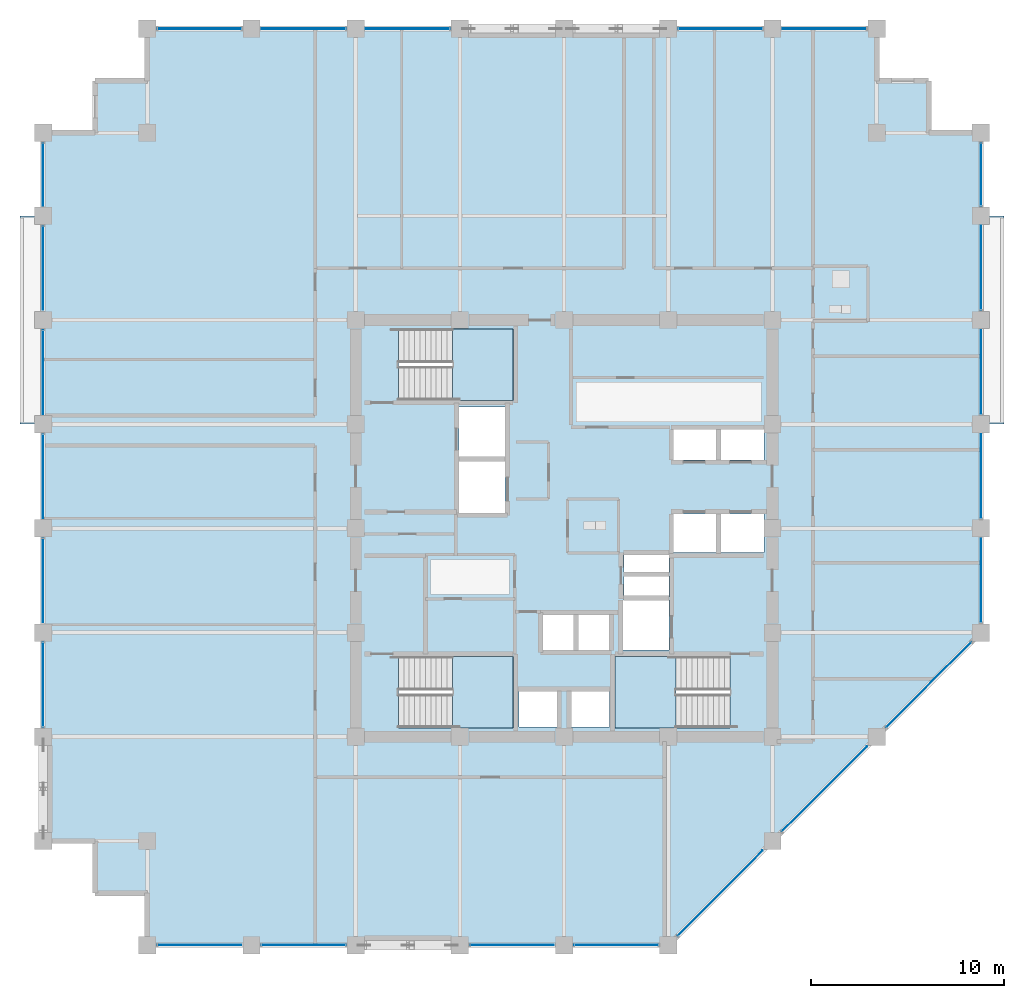
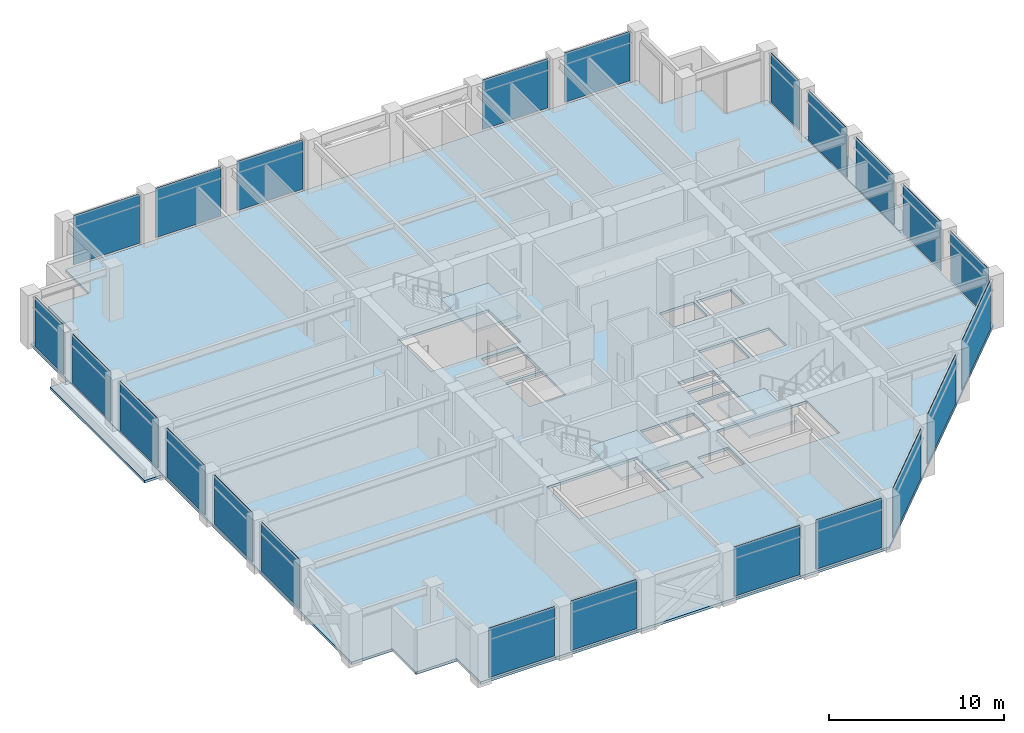
# One storey, part 25 of 31: 23 plates, 6 slabs, 10 elements without a shape of their own.
"""IFC4 building model written with IfcOpenShell, lengths in metres."""

from ifc_helpers import new_model, si_unit, direction, frame, frame_2d, origin, place, context, subcontext, project, spatial, polyline, rectangle, outline, extrude, material, layer, layer_set, type_object, element, aggregate, save


model = new_model("IFC4")

# Units and contexts
model_context = context("Model", 3, precision=1e-05, world=origin(), true_north=direction((0.0, 1.0)))
body_context = subcontext(model_context, "Body", "Model", "MODEL_VIEW")
ifc_project = project(units=[si_unit("LENGTHUNIT", "METRE"), si_unit("AREAUNIT", "SQUARE_METRE"), si_unit("VOLUMEUNIT", "CUBIC_METRE"), si_unit("PLANEANGLEUNIT", "RADIAN"), si_unit("MASSUNIT", "GRAM", prefix="KILO")], contexts=[model_context])

# Site, building, storey
site_placement = place(None, origin())
site = spatial("IfcSite", under=ifc_project, at=site_placement, CompositionType="ELEMENT")
building_placement = place(site_placement, origin())
building = spatial("IfcBuilding", under=site, at=building_placement, Name="Surkhivell Harbour Commons", CompositionType="ELEMENT")
storey_placement = place(building_placement, frame((0.0, 0.0, 193.5)))
storey = spatial("IfcBuildingStorey", under=building, at=storey_placement, Name="L50", CompositionType="ELEMENT", Elevation=193.5)

# Curtain wall, plates
ifc_material_1 = material(Name="Anodised pale-metal aluminium and insulated glazing", Category="aluminium")
ifc_layer_1 = layer(ifc_material_1, 0.18994140625)
ifc_layer_set_1 = layer_set([ifc_layer_1], Name="Anodised pale-metal aluminium and insulated glazing")
curtain_wall_type = type_object("IfcCurtainWallType", Name="CW-SYS-Z3", PredefinedType="NOTDEFINED", material=ifc_layer_set_1)
curtain_wall_1_placement = place(storey_placement, origin())
curtain_wall_1 = element("IfcCurtainWall", 1, at=curtain_wall_1_placement, inside=storey, type_object=curtain_wall_type, Name="L50 Curtain Wall CW-L50-E00S1", PredefinedType="NOTDEFINED")
ifc_material_2 = material(Name="High-pressure typhoon laminated vision glass", Category="glass")
ifc_layer_2 = layer(ifc_material_2, 0.035888671875)
ifc_layer_set_2 = layer_set([ifc_layer_2], Name="High-pressure typhoon laminated vision glass")
plate_type = type_object("IfcPlateType", Name="CWP-GLZ-36", PredefinedType="CURTAIN_PANEL", material=ifc_layer_set_2)
plate_1_placement = place(storey_placement, frame((-21.072998046875, -21.60009765625, 0.1298828125), z_axis=(0.0, 0.0, 1.0), x_axis=(1.0, 0.0, 0.0)))
plate_1 = element("IfcPlate", 2, at=plate_1_placement, type_object=plate_type, Name="CW-Z3 panel 1.1", PredefinedType="CURTAIN_PANEL", context=body_context, shape_type="SweptSolid", body=[
    extrude(rectangle(XDim=4.345947265625, YDim=0.035888671875, at=frame_2d((2.1728515625, 0.0))), origin(), (0.0, 0.0, 1.0), 3.440185546875),
])
plate_2_placement = place(storey_placement, frame((-15.673095703125, -21.60009765625, 0.1298828125), z_axis=(0.0, 0.0, 1.0), x_axis=(1.0, 0.0, 0.0)))
plate_2 = element("IfcPlate", 3, at=plate_2_placement, type_object=plate_type, Name="CW-Z3 panel 2.1", PredefinedType="CURTAIN_PANEL", context=body_context, shape_type="SweptSolid", body=[
    extrude(rectangle(XDim=4.34619140625, YDim=0.035888671875, at=frame_2d((2.173095703125, 0.0))), origin(), (0.0, 0.0, 1.0), 3.440185546875),
])
aggregate(curtain_wall_1, [plate_1, plate_2])

curtain_wall_2_placement = place(storey_placement, origin())
curtain_wall_2 = element("IfcCurtainWall", 4, at=curtain_wall_2_placement, inside=storey, type_object=curtain_wall_type, Name="L50 Curtain Wall CW-L50-E00S2", PredefinedType="NOTDEFINED")
plate_3_placement = place(storey_placement, frame((-4.873046875, -21.60009765625, 0.1298828125), z_axis=(0.0, 0.0, 1.0), x_axis=(1.0, 0.0, 0.0)))
plate_3 = element("IfcPlate", 5, at=plate_3_placement, type_object=plate_type, Name="CW-Z3 panel 1.1", PredefinedType="CURTAIN_PANEL", context=body_context, shape_type="SweptSolid", body=[
    extrude(rectangle(XDim=4.345947265625, YDim=0.035888671875, at=frame_2d((2.1728515625, 0.0))), origin(), (0.0, 0.0, 1.0), 3.440185546875),
])
plate_4_placement = place(storey_placement, frame((0.527099609375, -21.60009765625, 0.1298828125), z_axis=(0.0, 0.0, 1.0), x_axis=(1.0, 0.0, 0.0)))
plate_4 = element("IfcPlate", 6, at=plate_4_placement, type_object=plate_type, Name="CW-Z3 panel 2.1", PredefinedType="CURTAIN_PANEL", context=body_context, shape_type="SweptSolid", body=[
    extrude(rectangle(XDim=4.345947265625, YDim=0.035888671875, at=frame_2d((2.1728515625, 0.0))), origin(), (0.0, 0.0, 1.0), 3.440185546875),
])
aggregate(curtain_wall_2, [plate_3, plate_4])

curtain_wall_3_placement = place(storey_placement, origin())
curtain_wall_3 = element("IfcCurtainWall", 7, at=curtain_wall_3_placement, inside=storey, type_object=curtain_wall_type, Name="L50 Curtain Wall CW-L50-E01", PredefinedType="NOTDEFINED")
plate_5_placement = place(storey_placement, frame((5.90478515625, -21.09521484375, 0.1298828125), z_axis=(0.0, 0.0, 1.0), x_axis=(0.707106781187, 0.707106781187, 0.0)))
plate_5 = element("IfcPlate", 8, at=plate_5_placement, type_object=plate_type, Name="CW-Z3 panel 1.1", PredefinedType="CURTAIN_PANEL", context=body_context, shape_type="SweptSolid", body=[
    extrude(rectangle(XDim=6.209228515625, YDim=0.035888671875, at=frame_2d((3.1044921875, 0.0))), origin(), (0.0, 0.0, 1.0), 3.440185546875),
])
plate_6_placement = place(storey_placement, frame((11.3046875, -15.6953125, 0.1298828125), z_axis=(0.0, 0.0, 1.0), x_axis=(0.707106781187, 0.707106781187, 0.0)))
plate_6 = element("IfcPlate", 9, at=plate_6_placement, type_object=plate_type, Name="CW-Z3 panel 2.1", PredefinedType="CURTAIN_PANEL", context=body_context, shape_type="SweptSolid", body=[
    extrude(rectangle(XDim=6.209228515625, YDim=0.035888671875, at=frame_2d((3.1044921875, 0.0))), origin(), (0.0, 0.0, 1.0), 3.440185546875),
])
plate_7_placement = place(storey_placement, frame((16.70458984375, -10.29541015625, 0.1298828125), z_axis=(0.0, 0.0, 1.0), x_axis=(0.707106781187, 0.707106781187, 0.0)))
plate_7 = element("IfcPlate", 10, at=plate_7_placement, type_object=plate_type, Name="CW-Z3 panel 3.1", PredefinedType="CURTAIN_PANEL", context=body_context, shape_type="SweptSolid", body=[
    extrude(rectangle(XDim=6.209228515625, YDim=0.035888671875, at=frame_2d((3.1044921875, 0.0))), origin(), (0.0, 0.0, 1.0), 3.440185546875),
])
aggregate(curtain_wall_3, [plate_5, plate_6, plate_7])

curtain_wall_4_placement = place(storey_placement, origin())
curtain_wall_4 = element("IfcCurtainWall", 11, at=curtain_wall_4_placement, inside=storey, type_object=curtain_wall_type, Name="L50 Curtain Wall CW-L50-E02", PredefinedType="NOTDEFINED")
plate_8_placement = place(storey_placement, frame((21.60009765625, -4.873046875, 0.1298828125), z_axis=(0.0, 0.0, 1.0), x_axis=(0.0, 1.0, 0.0)))
plate_8 = element("IfcPlate", 12, at=plate_8_placement, type_object=plate_type, Name="CW-Z3 panel 1.1", PredefinedType="CURTAIN_PANEL", context=body_context, shape_type="SweptSolid", body=[
    extrude(rectangle(XDim=4.345947265625, YDim=0.035888671875, at=frame_2d((2.1728515625, 0.0))), origin(), (0.0, 0.0, 1.0), 3.440185546875),
])
plate_9_placement = place(storey_placement, frame((21.60009765625, 0.527099609375, 0.1298828125), z_axis=(0.0, 0.0, 1.0), x_axis=(0.0, 1.0, 0.0)))
plate_9 = element("IfcPlate", 13, at=plate_9_placement, type_object=plate_type, Name="CW-Z3 panel 2.1", PredefinedType="CURTAIN_PANEL", context=body_context, shape_type="SweptSolid", body=[
    extrude(rectangle(XDim=4.345947265625, YDim=0.035888671875, at=frame_2d((2.1728515625, 0.0))), origin(), (0.0, 0.0, 1.0), 3.440185546875),
])
plate_10_placement = place(storey_placement, frame((21.60009765625, 5.927001953125, 0.1298828125), z_axis=(0.0, 0.0, 1.0), x_axis=(0.0, 1.0, 0.0)))
plate_10 = element("IfcPlate", 14, at=plate_10_placement, type_object=plate_type, Name="CW-Z3 panel 3.1", PredefinedType="CURTAIN_PANEL", context=body_context, shape_type="SweptSolid", body=[
    extrude(rectangle(XDim=4.345947265625, YDim=0.035888671875, at=frame_2d((2.1728515625, 0.0))), origin(), (0.0, 0.0, 1.0), 3.440185546875),
])
plate_11_placement = place(storey_placement, frame((21.60009765625, 11.326904296875, 0.1298828125), z_axis=(0.0, 0.0, 1.0), x_axis=(0.0, 1.0, 0.0)))
plate_11 = element("IfcPlate", 15, at=plate_11_placement, type_object=plate_type, Name="CW-Z3 panel 4.1", PredefinedType="CURTAIN_PANEL", context=body_context, shape_type="SweptSolid", body=[
    extrude(rectangle(XDim=4.34619140625, YDim=0.035888671875, at=frame_2d((2.173095703125, 0.0))), origin(), (0.0, 0.0, 1.0), 3.440185546875),
])
plate_12_placement = place(storey_placement, frame((21.60009765625, 16.72705078125, 0.1298828125), z_axis=(0.0, 0.0, 1.0), x_axis=(0.0, 1.0, 0.0)))
plate_12 = element("IfcPlate", 16, at=plate_12_placement, type_object=plate_type, Name="CW-Z3 panel 5.1", PredefinedType="CURTAIN_PANEL", context=body_context, shape_type="SweptSolid", body=[
    extrude(rectangle(XDim=3.245849609375, YDim=0.035888671875, at=frame_2d((1.623046875, 0.0))), origin(), (0.0, 0.0, 1.0), 3.440185546875),
])
aggregate(curtain_wall_4, [plate_8, plate_9, plate_10, plate_11, plate_12])

curtain_wall_5_placement = place(storey_placement, origin())
curtain_wall_5 = element("IfcCurtainWall", 17, at=curtain_wall_5_placement, inside=storey, type_object=curtain_wall_type, Name="L50 Curtain Wall CW-L50-E07S1", PredefinedType="NOTDEFINED")
plate_13_placement = place(storey_placement, frame((15.673095703125, 25.89990234375, 0.1298828125), z_axis=(0.0, 0.0, 1.0), x_axis=(-1.0, 0.0, 0.0)))
plate_13 = element("IfcPlate", 18, at=plate_13_placement, type_object=plate_type, Name="CW-Z3 panel 1.1", PredefinedType="CURTAIN_PANEL", context=body_context, shape_type="SweptSolid", body=[
    extrude(rectangle(XDim=4.34619140625, YDim=0.035888671875, at=frame_2d((2.173095703125, 0.0))), origin(), (0.0, 0.0, 1.0), 3.440185546875),
])
plate_14_placement = place(storey_placement, frame((10.27294921875, 25.89990234375, 0.1298828125), z_axis=(0.0, 0.0, 1.0), x_axis=(-1.0, 0.0, 0.0)))
plate_14 = element("IfcPlate", 19, at=plate_14_placement, type_object=plate_type, Name="CW-Z3 panel 2.1", PredefinedType="CURTAIN_PANEL", context=body_context, shape_type="SweptSolid", body=[
    extrude(rectangle(XDim=4.345947265625, YDim=0.035888671875, at=frame_2d((2.1728515625, 0.0))), origin(), (0.0, 0.0, 1.0), 3.440185546875),
])
aggregate(curtain_wall_5, [plate_13, plate_14])

curtain_wall_6_placement = place(storey_placement, origin())
curtain_wall_6 = element("IfcCurtainWall", 20, at=curtain_wall_6_placement, inside=storey, type_object=curtain_wall_type, Name="L50 Curtain Wall CW-L50-E07S2", PredefinedType="NOTDEFINED")
plate_15_placement = place(storey_placement, frame((-5.927001953125, 25.89990234375, 0.1298828125), z_axis=(0.0, 0.0, 1.0), x_axis=(-1.0, 0.0, 0.0)))
plate_15 = element("IfcPlate", 21, at=plate_15_placement, type_object=plate_type, Name="CW-Z3 panel 1.1", PredefinedType="CURTAIN_PANEL", context=body_context, shape_type="SweptSolid", body=[
    extrude(rectangle(XDim=4.345947265625, YDim=0.035888671875, at=frame_2d((2.1728515625, 0.0))), origin(), (0.0, 0.0, 1.0), 3.440185546875),
])
plate_16_placement = place(storey_placement, frame((-11.326904296875, 25.89990234375, 0.1298828125), z_axis=(0.0, 0.0, 1.0), x_axis=(-1.0, 0.0, 0.0)))
plate_16 = element("IfcPlate", 22, at=plate_16_placement, type_object=plate_type, Name="CW-Z3 panel 2.1", PredefinedType="CURTAIN_PANEL", context=body_context, shape_type="SweptSolid", body=[
    extrude(rectangle(XDim=4.34619140625, YDim=0.035888671875, at=frame_2d((2.173095703125, 0.0))), origin(), (0.0, 0.0, 1.0), 3.440185546875),
])
plate_17_placement = place(storey_placement, frame((-16.72705078125, 25.89990234375, 0.1298828125), z_axis=(0.0, 0.0, 1.0), x_axis=(-1.0, 0.0, 0.0)))
plate_17 = element("IfcPlate", 23, at=plate_17_placement, type_object=plate_type, Name="CW-Z3 panel 3.1", PredefinedType="CURTAIN_PANEL", context=body_context, shape_type="SweptSolid", body=[
    extrude(rectangle(XDim=4.345947265625, YDim=0.035888671875, at=frame_2d((2.1728515625, 0.0))), origin(), (0.0, 0.0, 1.0), 3.440185546875),
])
aggregate(curtain_wall_6, [plate_15, plate_16, plate_17])

curtain_wall_7_placement = place(storey_placement, origin())
curtain_wall_7 = element("IfcCurtainWall", 24, at=curtain_wall_7_placement, inside=storey, type_object=curtain_wall_type, Name="L50 Curtain Wall CW-L50-E12S1", PredefinedType="NOTDEFINED")
plate_18_placement = place(storey_placement, frame((-27.0, 19.972900390625, 0.1298828125), z_axis=(0.0, 0.0, 1.0), x_axis=(0.0, -1.0, 0.0)))
plate_18 = element("IfcPlate", 25, at=plate_18_placement, type_object=plate_type, Name="CW-Z3 panel 1.1", PredefinedType="CURTAIN_PANEL", context=body_context, shape_type="SweptSolid", body=[
    extrude(rectangle(XDim=3.245849609375, YDim=0.035888671875, at=frame_2d((1.623046875, 0.0))), origin(), (0.0, 0.0, 1.0), 3.440185546875),
])
plate_19_placement = place(storey_placement, frame((-27.0, 15.673095703125, 0.1298828125), z_axis=(0.0, 0.0, 1.0), x_axis=(0.0, -1.0, 0.0)))
plate_19 = element("IfcPlate", 26, at=plate_19_placement, type_object=plate_type, Name="CW-Z3 panel 2.1", PredefinedType="CURTAIN_PANEL", context=body_context, shape_type="SweptSolid", body=[
    extrude(rectangle(XDim=4.34619140625, YDim=0.035888671875, at=frame_2d((2.173095703125, 0.0))), origin(), (0.0, 0.0, 1.0), 3.440185546875),
])
plate_20_placement = place(storey_placement, frame((-27.0, 10.27294921875, 0.1298828125), z_axis=(0.0, 0.0, 1.0), x_axis=(0.0, -1.0, 0.0)))
plate_20 = element("IfcPlate", 27, at=plate_20_placement, type_object=plate_type, Name="CW-Z3 panel 3.1", PredefinedType="CURTAIN_PANEL", context=body_context, shape_type="SweptSolid", body=[
    extrude(rectangle(XDim=4.345947265625, YDim=0.035888671875, at=frame_2d((2.1728515625, 0.0))), origin(), (0.0, 0.0, 1.0), 3.440185546875),
])
plate_21_placement = place(storey_placement, frame((-27.0, 4.873046875, 0.1298828125), z_axis=(0.0, 0.0, 1.0), x_axis=(0.0, -1.0, 0.0)))
plate_21 = element("IfcPlate", 28, at=plate_21_placement, type_object=plate_type, Name="CW-Z3 panel 4.1", PredefinedType="CURTAIN_PANEL", context=body_context, shape_type="SweptSolid", body=[
    extrude(rectangle(XDim=4.345947265625, YDim=0.035888671875, at=frame_2d((2.1728515625, 0.0))), origin(), (0.0, 0.0, 1.0), 3.440185546875),
])
plate_22_placement = place(storey_placement, frame((-27.0, -0.527099609375, 0.1298828125), z_axis=(0.0, 0.0, 1.0), x_axis=(0.0, -1.0, 0.0)))
plate_22 = element("IfcPlate", 29, at=plate_22_placement, type_object=plate_type, Name="CW-Z3 panel 5.1", PredefinedType="CURTAIN_PANEL", context=body_context, shape_type="SweptSolid", body=[
    extrude(rectangle(XDim=4.345947265625, YDim=0.035888671875, at=frame_2d((2.1728515625, 0.0))), origin(), (0.0, 0.0, 1.0), 3.440185546875),
])
plate_23_placement = place(storey_placement, frame((-27.0, -5.927001953125, 0.1298828125), z_axis=(0.0, 0.0, 1.0), x_axis=(0.0, -1.0, 0.0)))
plate_23 = element("IfcPlate", 30, at=plate_23_placement, type_object=plate_type, Name="CW-Z3 panel 6.1", PredefinedType="CURTAIN_PANEL", context=body_context, shape_type="SweptSolid", body=[
    extrude(rectangle(XDim=4.345947265625, YDim=0.035888671875, at=frame_2d((2.1728515625, 0.0))), origin(), (0.0, 0.0, 1.0), 3.440185546875),
])
aggregate(curtain_wall_7, [plate_18, plate_19, plate_20, plate_21, plate_22, plate_23])

# Slabs
ifc_material_3 = material(Name="Concrete C45/55", Category="concrete")
ifc_layer_3 = layer(ifc_material_3, 0.179931640625)
ifc_layer_set_3 = layer_set([ifc_layer_3], Name="Concrete C45/55")
slab_type_1 = type_object("IfcSlabType", Name="SLB-BOXRF-180", PredefinedType="ROOF", material=ifc_layer_set_3)
slab_1_placement = place(storey_placement, frame((0.0, 0.0, -0.179931640625)))
element("IfcSlab", 31, at=slab_1_placement, inside=storey, type_object=slab_type_1, Name="L50 Closed Box-Cluster Roof Slab 1", PredefinedType="ROOF", context=body_context, shape_type="SweptSolid", body=[
    extrude(outline(polyline([(22.800048828125, 16.199951171875), (21.6201171875, 16.199951171875), (21.6201171875, 5.39990234375), (22.800048828125, 5.39990234375), (22.800048828125, 16.199951171875)])), origin(), (0.0, 0.0, 1.0), 0.179931640625),
])
slab_2_placement = place(storey_placement, frame((0.0, 0.0, -0.179931640625)))
element("IfcSlab", 32, at=slab_2_placement, inside=storey, type_object=slab_type_1, Name="L50 Closed Box-Cluster Roof Slab 2", PredefinedType="ROOF", context=body_context, shape_type="SweptSolid", body=[
    extrude(outline(polyline([(-28.199951171875, 5.39990234375), (-27.02001953125, 5.39990234375), (-27.02001953125, 16.199951171875), (-28.199951171875, 16.199951171875), (-28.199951171875, 5.39990234375)])), origin(), (0.0, 0.0, 1.0), 0.179931640625),
])

# Stair, slab
ifc_material_4 = material(Name="Precast concrete C45/55", Category="concrete")
stair_type = type_object("IfcStairType", Name="STR-DL-375", PredefinedType="HALF_TURN_STAIR", material=ifc_material_4)
stair_1_placement = place(storey_placement, origin())
stair_1 = element("IfcStair", 33, at=stair_1_placement, inside=storey, type_object=stair_type, Name="L50 Core Exit Stair ST1", PredefinedType="HALF_TURN_STAIR")
ifc_material_5 = material(Name="Reinforced concrete C45/55", Category="concrete")
ifc_layer_4 = layer(ifc_material_5, 0.199951171875)
ifc_layer_set_4 = layer_set([ifc_layer_4], Name="Reinforced concrete C45/55")
slab_type_2 = type_object("IfcSlabType", Name="SLB-ST-LND200", PredefinedType="LANDING", material=ifc_layer_set_4)
slab_3_placement = place(storey_placement, frame((0.0, 0.0, 1.675048828125)))
slab_3 = element("IfcSlab", 34, at=slab_3_placement, type_object=slab_type_2, Name="ST1 landing 1", PredefinedType="LANDING", context=body_context, shape_type="SweptSolid", body=[
    extrude(outline(polyline([(-5.7900390625, 6.639892578125), (-2.639892578125, 6.639892578125), (-2.639892578125, 10.340087890625), (-5.7900390625, 10.340087890625), (-5.7900390625, 6.639892578125)])), origin(), (0.0, 0.0, 1.0), 0.199951171875),
])
aggregate(stair_1, [slab_3])

stair_2_placement = place(storey_placement, origin())
stair_2 = element("IfcStair", 35, at=stair_2_placement, inside=storey, type_object=stair_type, Name="L50 Core Exit Stair ST2", PredefinedType="HALF_TURN_STAIR")
slab_4_placement = place(storey_placement, frame((0.0, 0.0, 1.675048828125)))
slab_4 = element("IfcSlab", 36, at=slab_4_placement, type_object=slab_type_2, Name="ST2 landing 1", PredefinedType="LANDING", context=body_context, shape_type="SweptSolid", body=[
    extrude(outline(polyline([(5.7900390625, -6.639892578125), (2.639892578125, -6.639892578125), (2.639892578125, -10.340087890625), (5.7900390625, -10.340087890625), (5.7900390625, -6.639892578125)])), origin(), (0.0, 0.0, 1.0), 0.199951171875),
])
aggregate(stair_2, [slab_4])

stair_3_placement = place(storey_placement, origin())
stair_3 = element("IfcStair", 37, at=stair_3_placement, inside=storey, type_object=stair_type, Name="L50 Core Exit Stair ST3", PredefinedType="HALF_TURN_STAIR")
slab_5_placement = place(storey_placement, frame((0.0, 0.0, 1.675048828125)))
slab_5 = element("IfcSlab", 38, at=slab_5_placement, type_object=slab_type_2, Name="ST3 landing 1", PredefinedType="LANDING", context=body_context, shape_type="SweptSolid", body=[
    extrude(outline(polyline([(-5.7900390625, -10.340087890625), (-2.639892578125, -10.340087890625), (-2.639892578125, -6.639892578125), (-5.7900390625, -6.639892578125), (-5.7900390625, -10.340087890625)])), origin(), (0.0, 0.0, 1.0), 0.199951171875),
])
aggregate(stair_3, [slab_5])

# Slab
ifc_layer_5 = layer(ifc_material_3, 0.179931640625)
ifc_layer_set_5 = layer_set([ifc_layer_5], Name="Concrete C45/55")
slab_type_3 = type_object("IfcSlabType", Name="SLB-TYP-180", PredefinedType="FLOOR", material=ifc_layer_set_5)
slab_6_placement = place(storey_placement, frame((0.0, 0.0, -0.179931640625)))
element("IfcSlab", 39, at=slab_6_placement, inside=storey, type_object=slab_type_3, Name="L50 Structural Floor Slab", PredefinedType="FLOOR", context=body_context, shape_type="SweptSolid", body=[
    extrude(outline(polyline([(-21.60009765625, -21.60009765625), (5.39990234375, -21.60009765625), (21.60009765625, -5.39990234375), (21.60009765625, 20.5), (18.89990234375, 20.5), (18.89990234375, 23.199951171875), (16.199951171875, 23.199951171875), (16.199951171875, 25.89990234375), (-21.60009765625, 25.89990234375), (-21.60009765625, 23.199951171875), (-24.300048828125, 23.199951171875), (-24.300048828125, 20.5), (-27.0, 20.5), (-27.0, -16.199951171875), (-24.300048828125, -16.199951171875), (-24.300048828125, -18.89990234375), (-21.60009765625, -18.89990234375), (-21.60009765625, -21.60009765625)]), holes=[polyline([(-8.590087890625, 6.639892578125), (-2.639892578125, 6.639892578125), (-2.639892578125, 10.340087890625), (-8.590087890625, 10.340087890625), (-8.590087890625, 6.639892578125)]), polyline([(8.590087890625, -6.639892578125), (2.639892578125, -6.639892578125), (2.639892578125, -10.340087890625), (8.590087890625, -10.340087890625), (8.590087890625, -6.639892578125)]), polyline([(-8.590087890625, -10.340087890625), (-2.639892578125, -10.340087890625), (-2.639892578125, -6.639892578125), (-8.590087890625, -6.639892578125), (-8.590087890625, -10.340087890625)]), polyline([(5.64990234375, 3.550048828125), (7.89990234375, 3.550048828125), (7.89990234375, 5.14990234375), (5.64990234375, 5.14990234375), (5.64990234375, 3.550048828125)]), polyline([(8.10009765625, 3.550048828125), (10.35009765625, 3.550048828125), (10.35009765625, 5.14990234375), (8.10009765625, 5.14990234375), (8.10009765625, 3.550048828125)]), polyline([(5.64990234375, -1.25), (7.89990234375, -1.25), (7.89990234375, 0.75), (5.64990234375, 0.75), (5.64990234375, -1.25)]), polyline([(8.10009765625, -1.25), (10.35009765625, -1.25), (10.35009765625, 0.75), (8.10009765625, 0.75), (8.10009765625, -1.25)]), polyline([(-1.14990234375, -6.35009765625), (0.550048828125, -6.35009765625), (0.550048828125, -4.449951171875), (-1.14990234375, -4.449951171875), (-1.14990234375, -6.35009765625)]), polyline([(0.679931640625, -6.35009765625), (2.3798828125, -6.35009765625), (2.3798828125, -4.449951171875), (0.679931640625, -4.449951171875), (0.679931640625, -6.35009765625)]), polyline([(-2.35009765625, -10.300048828125), (-0.35009765625, -10.300048828125), (-0.35009765625, -8.39990234375), (-2.35009765625, -8.39990234375), (-2.35009765625, -10.300048828125)]), polyline([(0.35009765625, -10.300048828125), (2.35009765625, -10.300048828125), (2.35009765625, -8.39990234375), (0.35009765625, -8.39990234375), (0.35009765625, -10.300048828125)]), polyline([(-5.449951171875, 3.699951171875), (-3.050048828125, 3.699951171875), (-3.050048828125, 6.300048828125), (-5.449951171875, 6.300048828125), (-5.449951171875, 3.699951171875)]), polyline([(3.050048828125, -6.300048828125), (5.449951171875, -6.300048828125), (5.449951171875, -3.699951171875), (3.050048828125, -3.699951171875), (3.050048828125, -6.300048828125)]), polyline([(-5.449951171875, 0.800048828125), (-3.050048828125, 0.800048828125), (-3.050048828125, 3.5), (-5.449951171875, 3.5), (-5.449951171875, 0.800048828125)]), polyline([(3.10009765625, -3.550048828125), (5.449951171875, -3.550048828125), (5.449951171875, -2.47998046875), (3.10009765625, -2.47998046875), (3.10009765625, -3.550048828125)]), polyline([(3.10009765625, -2.280029296875), (5.449951171875, -2.280029296875), (5.449951171875, -1.35009765625), (3.10009765625, -1.35009765625), (3.10009765625, -2.280029296875)])]), origin(), (0.0, 0.0, 1.0), 0.179931640625),
])

save(model, "model.ifc")
